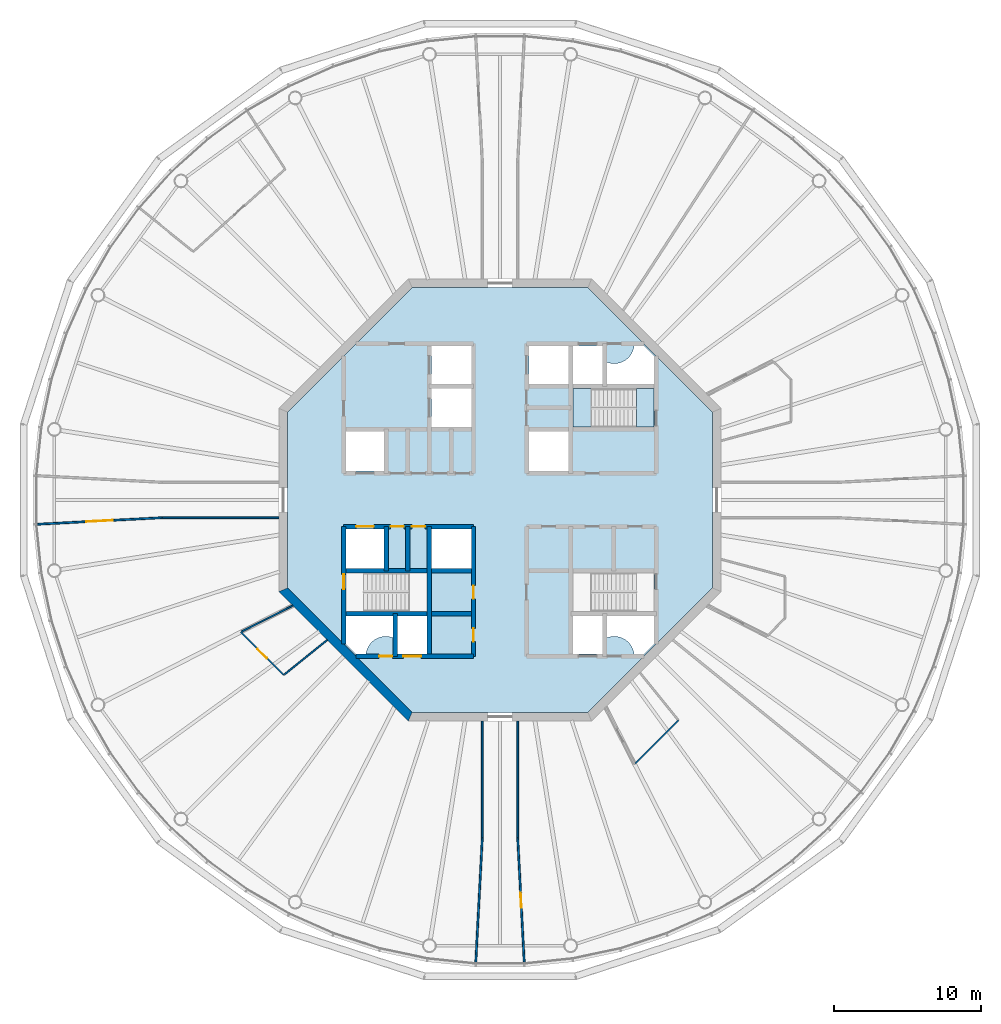
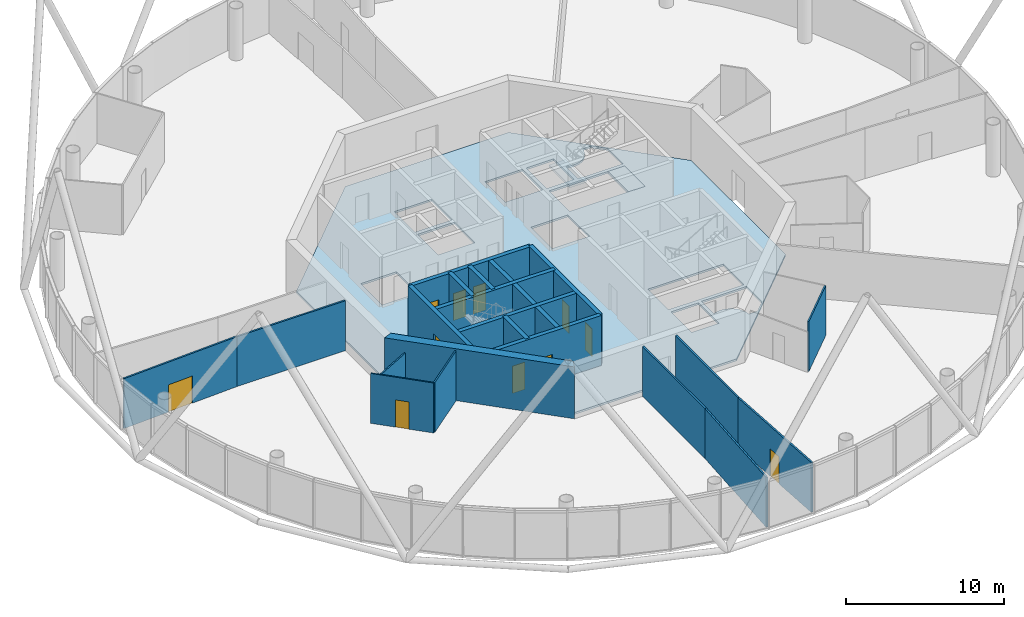
# One storey, part 3 of 13: 21 walls, 11 doors, 3 slabs, 11 openings, 1 element without a shape of its own.
"""IFC4 building model written with IfcOpenShell, lengths in metres."""

from ifc_helpers import new_model, si_unit, direction, frame, frame_2d, origin, place, context, subcontext, project, spatial, polyline, rectangle, outline, extrude, material, layer, layer_set, type_object, element, fill, aggregate, save


model = new_model("IFC4")

# Units and contexts
model_context = context("Model", 3, precision=1e-05, world=origin(), true_north=direction((0.0, 1.0)))
body_context = subcontext(model_context, "Body", "Model", "MODEL_VIEW")
ifc_project = project(units=[si_unit("LENGTHUNIT", "METRE"), si_unit("AREAUNIT", "SQUARE_METRE"), si_unit("VOLUMEUNIT", "CUBIC_METRE"), si_unit("PLANEANGLEUNIT", "RADIAN"), si_unit("MASSUNIT", "GRAM", prefix="KILO")], contexts=[model_context])

# Site, building, storey
site_placement = place(None, origin())
site = spatial("IfcSite", under=ifc_project, at=site_placement, CompositionType="ELEMENT")
building_placement = place(site_placement, origin())
building = spatial("IfcBuilding", under=site, at=building_placement, Name="Entoto Ring Tower", CompositionType="ELEMENT")
storey_placement = place(building_placement, frame((0.0, 0.0, 356.0)))
storey = spatial("IfcBuildingStorey", under=building, at=storey_placement, Name="L82", CompositionType="ELEMENT", Elevation=356.0)

# Slab
ifc_material_1 = material(Name="Concrete C40/50", Category="concrete")
ifc_layer_1 = layer(ifc_material_1, 0.14990234375)
ifc_layer_set_1 = layer_set([ifc_layer_1], Name="Concrete C40/50")
slab_type_1 = type_object("IfcSlabType", Name="Core floor slab 150 mm reinforced concrete C40/50", PredefinedType="FLOOR", material=ifc_layer_set_1)
slab_1_placement = place(storey_placement, frame((0.0, 0.0, -0.14990234375)))
element("IfcSlab", 1, at=slab_1_placement, inside=storey, type_object=slab_type_1, Name="Core floor L82", PredefinedType="FLOOR", context=body_context, shape_type="SweptSolid", body=[
    extrude(outline(polyline([(104.39990234375, 74.035400390625), (104.39990234375, 85.964599609375), (95.964599609375, 94.39990234375), (84.035400390625, 94.39990234375), (75.60009765625, 85.964599609375), (75.60009765625, 74.035400390625), (84.035400390625, 65.60009765625), (95.964599609375, 65.60009765625), (104.39990234375, 74.035400390625)]), holes=[polyline([(100.449951171875, 84.949951171875), (100.449951171875, 87.550048828125), (94.949951171875, 87.550048828125), (94.949951171875, 84.949951171875), (100.449951171875, 84.949951171875)]), polyline([(85.050048828125, 72.449951171875), (85.050048828125, 75.050048828125), (79.550048828125, 75.050048828125), (79.550048828125, 72.449951171875), (85.050048828125, 72.449951171875)]), polyline([(100.449951171875, 72.449951171875), (100.449951171875, 75.050048828125), (94.949951171875, 75.050048828125), (94.949951171875, 72.449951171875), (100.449951171875, 72.449951171875)]), polyline([(94.949951171875, 90.449951171875), (94.949951171875, 87.85009765625), (96.949951171875, 87.85009765625), (96.949951171875, 90.449951171875), (94.949951171875, 90.449951171875)]), polyline([(94.949951171875, 72.14990234375), (94.949951171875, 69.550048828125), (96.949951171875, 69.550048828125), (96.949951171875, 72.14990234375), (94.949951171875, 72.14990234375)]), polyline([(83.050048828125, 72.14990234375), (83.050048828125, 69.550048828125), (85.050048828125, 69.550048828125), (85.050048828125, 72.14990234375), (83.050048828125, 72.14990234375)]), polyline([(79.550048828125, 81.949951171875), (82.14990234375, 81.949951171875), (82.14990234375, 84.64990234375), (79.550048828125, 84.64990234375), (79.550048828125, 81.949951171875)]), polyline([(79.550048828125, 75.35009765625), (82.14990234375, 75.35009765625), (82.14990234375, 78.050048828125), (79.550048828125, 78.050048828125), (79.550048828125, 75.35009765625)]), polyline([(91.949951171875, 87.85009765625), (94.64990234375, 87.85009765625), (94.64990234375, 90.449951171875), (91.949951171875, 90.449951171875), (91.949951171875, 87.85009765625)]), polyline([(91.949951171875, 81.949951171875), (94.64990234375, 81.949951171875), (94.64990234375, 84.64990234375), (91.949951171875, 84.64990234375), (91.949951171875, 81.949951171875)]), polyline([(85.35009765625, 75.35009765625), (88.050048828125, 75.35009765625), (88.050048828125, 78.050048828125), (85.35009765625, 78.050048828125), (85.35009765625, 75.35009765625)]), polyline([(85.35009765625, 84.949951171875), (88.050048828125, 84.949951171875), (88.050048828125, 87.550048828125), (85.35009765625, 87.550048828125), (85.35009765625, 84.949951171875)]), polyline([(85.35009765625, 87.85009765625), (88.050048828125, 87.85009765625), (88.050048828125, 90.449951171875), (85.35009765625, 90.449951171875), (85.35009765625, 87.85009765625)]), polyline([(97.199951171875, 89.368408203125), (97.199951171875, 87.800048828125), (100.5, 87.800048828125), (100.5, 89.723388671875), (99.723388671875, 90.5), (99.09521484375, 90.5), (99.093505859375, 90.4677734375), (99.07421875, 90.336669921875), (99.0419921875, 90.2080078125), (98.997314453125, 90.08349609375), (98.940673828125, 89.963623046875), (98.87255859375, 89.85009765625), (98.793701171875, 89.74365234375), (98.70458984375, 89.6455078125), (98.6064453125, 89.556396484375), (98.5, 89.4775390625), (98.386474609375, 89.409423828125), (98.2666015625, 89.352783203125), (98.141845703125, 89.30810546875), (98.013427734375, 89.27587890625), (97.88232421875, 89.256591796875), (97.75, 89.25), (97.61767578125, 89.256591796875), (97.486572265625, 89.27587890625), (97.358154296875, 89.30810546875), (97.2333984375, 89.352783203125), (97.199951171875, 89.368408203125)]), polyline([(80.276611328125, 69.5), (80.90478515625, 69.5), (80.906494140625, 69.5322265625), (80.92578125, 69.663330078125), (80.9580078125, 69.7919921875), (81.002685546875, 69.91650390625), (81.059326171875, 70.036376953125), (81.12744140625, 70.14990234375), (81.206298828125, 70.25634765625), (81.29541015625, 70.3544921875), (81.3935546875, 70.443603515625), (81.5, 70.5224609375), (81.613525390625, 70.590576171875), (81.7333984375, 70.647216796875), (81.858154296875, 70.69189453125), (81.986572265625, 70.72412109375), (82.11767578125, 70.743408203125), (82.25, 70.75), (82.38232421875, 70.743408203125), (82.513427734375, 70.72412109375), (82.641845703125, 70.69189453125), (82.7666015625, 70.647216796875), (82.800048828125, 70.631591796875), (82.800048828125, 72.199951171875), (79.5, 72.199951171875), (79.5, 70.276611328125), (80.276611328125, 69.5)]), polyline([(99.09521484375, 69.5), (99.723388671875, 69.5), (100.5, 70.276611328125), (100.5, 72.199951171875), (97.199951171875, 72.199951171875), (97.199951171875, 70.631591796875), (97.2333984375, 70.647216796875), (97.358154296875, 70.69189453125), (97.486572265625, 70.72412109375), (97.61767578125, 70.743408203125), (97.75, 70.75), (97.88232421875, 70.743408203125), (98.013427734375, 70.72412109375), (98.141845703125, 70.69189453125), (98.2666015625, 70.647216796875), (98.386474609375, 70.590576171875), (98.5, 70.5224609375), (98.6064453125, 70.443603515625), (98.70458984375, 70.3544921875), (98.793701171875, 70.25634765625), (98.87255859375, 70.14990234375), (98.940673828125, 70.036376953125), (98.997314453125, 69.91650390625), (99.0419921875, 69.7919921875), (99.07421875, 69.663330078125), (99.093505859375, 69.5322265625), (99.09521484375, 69.5)])]), origin(), (0.0, 0.0, 1.0), 0.14990234375),
])

# Stair, slabs
ifc_material_2 = material(Name="Concrete C40/50", Category="concrete")
stair_type = type_object("IfcStairType", Name="Exit stair 1200 mm dog-leg reinforced concrete", PredefinedType="HALF_TURN_STAIR", material=ifc_material_2)
stair_placement = place(storey_placement, origin())
stair = element("IfcStair", 2, at=stair_placement, inside=storey, type_object=stair_type, Name="Exit stair 1", PredefinedType="HALF_TURN_STAIR")
ifc_material_3 = material(Name="Concrete C40/50", Category="concrete")
ifc_layer_2 = layer(ifc_material_3, 0.199951171875)
ifc_layer_set_2 = layer_set([ifc_layer_2], Name="Concrete C40/50")
slab_type_2 = type_object("IfcSlabType", Name="Stair landing 200 mm reinforced concrete", PredefinedType="LANDING", material=ifc_layer_set_2)
slab_2_placement = place(storey_placement, frame((0.0, 0.0, -0.199951171875)))
slab_2 = element("IfcSlab", 3, at=slab_2_placement, type_object=slab_type_2, Name="ST1 landing 1", PredefinedType="LANDING", context=body_context, shape_type="SweptSolid", body=[
    extrude(outline(polyline([(100.449951171875, 84.949951171875), (100.449951171875, 87.550048828125), (99.25, 87.550048828125), (99.25, 84.949951171875), (100.449951171875, 84.949951171875)])), origin(), (0.0, 0.0, 1.0), 0.199951171875),
])
slab_3_placement = place(storey_placement, frame((0.0, 0.0, 1.800048828125)))
slab_3 = element("IfcSlab", 4, at=slab_3_placement, type_object=slab_type_2, Name="ST1 landing 2", PredefinedType="LANDING", context=body_context, shape_type="SweptSolid", body=[
    extrude(outline(polyline([(94.949951171875, 84.949951171875), (96.169921875, 84.949951171875), (96.169921875, 87.550048828125), (94.949951171875, 87.550048828125), (94.949951171875, 84.949951171875)])), origin(), (0.0, 0.0, 1.0), 0.199951171875),
])
aggregate(stair, [slab_2, slab_3])

# Wall, openings, doors
ifc_material_4 = material(Name="Concrete C40/50", Category="concrete")
ifc_layer_3 = layer(ifc_material_4, 0.300048828125)
ifc_layer_set_3 = layer_set([ifc_layer_3], Name="Concrete C40/50")
wall_type_1 = type_object("IfcWallType", Name="Core enclosure wall 300 mm reinforced concrete", PredefinedType="SOLIDWALL", material=ifc_layer_set_3)
wall_1_placement = place(storey_placement, frame((88.199951171875, 69.39990234375, 0.0), z_axis=(0.0, 0.0, 1.0), x_axis=(0.0, 1.0, 0.0)))
wall_1 = element("IfcWall", 5, at=wall_1_placement, inside=storey, type_object=wall_type_1, Name="wall-L82-010", PredefinedType="SOLIDWALL", context=body_context, shape_type="SweptSolid", body=[
    extrude(rectangle(XDim=8.800048828125, YDim=0.300048828125, at=frame_2d((4.39990234375, 0.0))), origin(), (0.0, 0.0, 1.0), 3.85009765625),
])
opening_1_placement = place(wall_1_placement, frame((3.89990234375, 0.0, 0.0)))
opening_1 = element("IfcOpeningElement", 6, at=opening_1_placement, cuts=wall_1, Name="Opening K-21", PredefinedType="OPENING", context=body_context, shape_type="SweptSolid", body=[
    extrude(rectangle(XDim=0.89990234375, YDim=2.10009765625, at=frame_2d((0.449951171875, 1.050048828125))), frame((0.0, 0.16015625, 0.0), z_axis=(0.0, -1.0, 0.0), x_axis=(1.0, 0.0, 0.0)), (0.0, 0.0, 1.0), 0.320068359375),
])
opening_2_placement = place(wall_1_placement, frame((1.0, 0.0, 0.0)))
opening_2 = element("IfcOpeningElement", 7, at=opening_2_placement, cuts=wall_1, Name="Opening K-69", PredefinedType="OPENING", context=body_context, shape_type="SweptSolid", body=[
    extrude(rectangle(XDim=0.89990234375, YDim=2.10009765625, at=frame_2d((0.449951171875, 1.050048828125))), frame((0.0, 0.16015625, 0.0), z_axis=(0.0, -1.0, 0.0), x_axis=(1.0, 0.0, 0.0)), (0.0, 0.0, 1.0), 0.320068359375),
])
ifc_material_5 = material(Name="Steel door leaf, fire rated", Category="steel")
ifc_layer_4 = layer(ifc_material_5, 0.050048828125)
ifc_layer_set_4 = layer_set([ifc_layer_4], Name="Steel door leaf, fire rated")
door_type_1 = type_object("IfcDoorType", Name="Core door 900 x 2100 single leaf", OperationType="NOTDEFINED", PredefinedType="DOOR", material=ifc_layer_set_4)
door_1_placement = place(opening_1_placement, origin())
door_1 = element("IfcDoor", 8, at=door_1_placement, inside=storey, type_object=door_type_1, Name="Door K-21", OperationType="SINGLE_SWING_RIGHT", OverallHeight=2.10009765625, OverallWidth=0.89990234375, PredefinedType="DOOR", context=body_context, shape_type="SweptSolid", body=[
    extrude(rectangle(XDim=0.89990234375, YDim=2.10009765625, at=frame_2d((0.449951171875, 1.050048828125))), frame((0.0, 0.02490234375, 0.0), z_axis=(0.0, -1.0, 0.0), x_axis=(1.0, 0.0, 0.0)), (0.0, 0.0, 1.0), 0.050048828125),
])
fill(opening_1, door_1)
door_2_placement = place(opening_2_placement, origin())
door_2 = element("IfcDoor", 9, at=door_2_placement, inside=storey, type_object=door_type_1, Name="Door K-69", OperationType="SINGLE_SWING_RIGHT", OverallHeight=2.10009765625, OverallWidth=0.89990234375, PredefinedType="DOOR", context=body_context, shape_type="SweptSolid", body=[
    extrude(rectangle(XDim=0.89990234375, YDim=2.10009765625, at=frame_2d((0.449951171875, 1.050048828125))), frame((0.0, 0.02490234375, 0.0), z_axis=(0.0, -1.0, 0.0), x_axis=(1.0, 0.0, 0.0)), (0.0, 0.0, 1.0), 0.050048828125),
])
fill(opening_2, door_2)

# Walls
wall_2_placement = place(storey_placement, frame((85.199951171875, 69.39990234375, 0.0), z_axis=(0.0, 0.0, 1.0), x_axis=(0.0, 1.0, 0.0)))
element("IfcWall", 10, at=wall_2_placement, inside=storey, type_object=wall_type_1, Name="wall-L82-013", PredefinedType="SOLIDWALL", context=body_context, shape_type="SweptSolid", body=[
    extrude(rectangle(XDim=8.800048828125, YDim=0.300048828125, at=frame_2d((4.39990234375, 0.0))), origin(), (0.0, 0.0, 1.0), 3.85009765625),
])
wall_3_placement = place(storey_placement, frame((83.75, 75.199951171875, 0.0), z_axis=(0.0, 0.0, 1.0), x_axis=(0.0, 1.0, 0.0)))
element("IfcWall", 11, at=wall_3_placement, inside=storey, type_object=wall_type_1, Name="wall-L82-015", PredefinedType="SOLIDWALL", context=body_context, shape_type="SweptSolid", body=[
    extrude(rectangle(XDim=3.0, YDim=0.300048828125, at=frame_2d((1.5, 0.0))), origin(), (0.0, 0.0, 1.0), 3.85009765625),
])
wall_4_placement = place(storey_placement, frame((82.89990234375, 69.39990234375, 0.0), z_axis=(0.0, 0.0, 1.0), x_axis=(0.0, 1.0, 0.0)))
element("IfcWall", 12, at=wall_4_placement, inside=storey, type_object=wall_type_1, Name="wall-L82-017", PredefinedType="SOLIDWALL", context=body_context, shape_type="SweptSolid", body=[
    extrude(rectangle(XDim=2.900146484375, YDim=0.300048828125, at=frame_2d((1.4501953125, 0.0))), origin(), (0.0, 0.0, 1.0), 3.85009765625),
])
wall_5_placement = place(storey_placement, frame((82.300048828125, 75.199951171875, 0.0), z_axis=(0.0, 0.0, 1.0), x_axis=(0.0, 1.0, 0.0)))
element("IfcWall", 13, at=wall_5_placement, inside=storey, type_object=wall_type_1, Name="wall-L82-018", PredefinedType="SOLIDWALL", context=body_context, shape_type="SweptSolid", body=[
    extrude(rectangle(XDim=3.0, YDim=0.300048828125, at=frame_2d((1.5, 0.0))), origin(), (0.0, 0.0, 1.0), 3.85009765625),
])

# Wall, opening, door
wall_6_placement = place(storey_placement, frame((79.39990234375, 70.2353515625, 0.0), z_axis=(0.0, 0.0, 1.0), x_axis=(0.0, 1.0, 0.0)))
wall_6 = element("IfcWall", 14, at=wall_6_placement, inside=storey, type_object=wall_type_1, Name="wall-L82-020", PredefinedType="SOLIDWALL", context=body_context, shape_type="SweptSolid", body=[
    extrude(rectangle(XDim=7.964599609375, YDim=0.300048828125, at=frame_2d((3.982421875, 0.0))), origin(), (0.0, 0.0, 1.0), 3.85009765625),
])
opening_3_placement = place(wall_6_placement, frame((3.714599609375, 0.0, 0.0)))
opening_3 = element("IfcOpeningElement", 15, at=opening_3_placement, cuts=wall_6, Name="Opening K-27", PredefinedType="OPENING", context=body_context, shape_type="SweptSolid", body=[
    extrude(rectangle(XDim=1.0, YDim=2.10009765625, at=frame_2d((0.5, 1.050048828125))), frame((0.0, 0.16015625, 0.0), z_axis=(0.0, -1.0, 0.0), x_axis=(1.0, 0.0, 0.0)), (0.0, 0.0, 1.0), 0.320068359375),
])
ifc_material_6 = material(Name="Steel door leaf, fire rated", Category="steel")
ifc_layer_5 = layer(ifc_material_6, 0.050048828125)
ifc_layer_set_5 = layer_set([ifc_layer_5], Name="Steel door leaf, fire rated")
door_type_2 = type_object("IfcDoorType", Name="Fire door FD60 1000 x 2100 single leaf", OperationType="NOTDEFINED", PredefinedType="DOOR", material=ifc_layer_set_5)
door_3_placement = place(opening_3_placement, frame((1.0, 0.0, 0.0), z_axis=(0.0, 0.0, 1.0), x_axis=(-1.0, 0.0, 0.0)))
door_3 = element("IfcDoor", 16, at=door_3_placement, inside=storey, type_object=door_type_2, Name="Door K-27", OperationType="SINGLE_SWING_LEFT", OverallHeight=2.10009765625, OverallWidth=1.0, PredefinedType="DOOR", context=body_context, shape_type="SweptSolid", body=[
    extrude(rectangle(XDim=1.0, YDim=2.10009765625, at=frame_2d((0.5, 1.050048828125))), frame((0.0, 0.02490234375, 0.0), z_axis=(0.0, -1.0, 0.0), x_axis=(1.0, 0.0, 0.0)), (0.0, 0.0, 1.0), 0.050048828125),
])
fill(opening_3, door_3)

# Wall, openings, doors
wall_7_placement = place(storey_placement, frame((80.2353515625, 69.39990234375, 0.0), z_axis=(0.0, 0.0, 1.0), x_axis=(1.0, 0.0, 0.0)))
wall_7 = element("IfcWall", 17, at=wall_7_placement, inside=storey, type_object=wall_type_1, Name="wall-L82-022", PredefinedType="SOLIDWALL", context=body_context, shape_type="SweptSolid", body=[
    extrude(rectangle(XDim=7.964599609375, YDim=0.300048828125, at=frame_2d((3.982421875, 0.0))), origin(), (0.0, 0.0, 1.0), 3.85009765625),
])
opening_4_placement = place(wall_7_placement, frame((3.214599609375, 0.0, 0.0)))
opening_4 = element("IfcOpeningElement", 18, at=opening_4_placement, cuts=wall_7, Name="Opening LD", PredefinedType="OPENING", context=body_context, shape_type="SweptSolid", body=[
    extrude(rectangle(XDim=1.199951171875, YDim=2.10009765625, at=frame_2d((0.60009765625, 1.050048828125))), frame((0.0, 0.16015625, 0.0), z_axis=(0.0, -1.0, 0.0), x_axis=(1.0, 0.0, 0.0)), (0.0, 0.0, 1.0), 0.320068359375),
])
opening_5_placement = place(wall_7_placement, frame((1.564697265625, 0.0, 0.0)))
opening_5 = element("IfcOpeningElement", 19, at=opening_5_placement, cuts=wall_7, Name="Opening K-84", PredefinedType="OPENING", context=body_context, shape_type="SweptSolid", body=[
    extrude(rectangle(XDim=0.89990234375, YDim=2.10009765625, at=frame_2d((0.449951171875, 1.050048828125))), frame((0.0, 0.16015625, 0.0), z_axis=(0.0, -1.0, 0.0), x_axis=(1.0, 0.0, 0.0)), (0.0, 0.0, 1.0), 0.320068359375),
])
ifc_material_7 = material(Name="Steel and glass door leaf", Category="steel")
ifc_layer_6 = layer(ifc_material_7, 0.050048828125)
ifc_layer_set_6 = layer_set([ifc_layer_6], Name="Steel and glass door leaf")
door_type_3 = type_object("IfcDoorType", Name="Landing door 1200 x 2100 sliding", OperationType="DOUBLE_DOOR_SLIDING", PredefinedType="DOOR", material=ifc_layer_set_6)
door_4_placement = place(opening_4_placement, origin())
door_4 = element("IfcDoor", 20, at=door_4_placement, inside=storey, type_object=door_type_3, Name="Landing door LB3-HR", OperationType="SLIDING_TO_RIGHT", OverallHeight=2.10009765625, OverallWidth=1.199951171875, PredefinedType="DOOR", context=body_context, shape_type="SweptSolid", body=[
    extrude(rectangle(XDim=1.199951171875, YDim=2.10009765625, at=frame_2d((0.60009765625, 1.050048828125))), frame((0.0, 0.02490234375, 0.0), z_axis=(0.0, -1.0, 0.0), x_axis=(1.0, 0.0, 0.0)), (0.0, 0.0, 1.0), 0.050048828125),
])
fill(opening_4, door_4)
ifc_material_8 = material(Name="Steel door leaf, fire rated", Category="steel")
ifc_layer_7 = layer(ifc_material_8, 0.050048828125)
ifc_layer_set_7 = layer_set([ifc_layer_7], Name="Steel door leaf, fire rated")
door_type_4 = type_object("IfcDoorType", Name="Riser door FD60 900 x 2100 single leaf", OperationType="NOTDEFINED", PredefinedType="DOOR", material=ifc_layer_set_7)
door_5_placement = place(opening_5_placement, origin())
door_5 = element("IfcDoor", 21, at=door_5_placement, inside=storey, type_object=door_type_4, Name="Door K-84", OperationType="SINGLE_SWING_RIGHT", OverallHeight=2.10009765625, OverallWidth=0.89990234375, PredefinedType="DOOR", context=body_context, shape_type="SweptSolid", body=[
    extrude(rectangle(XDim=0.89990234375, YDim=2.10009765625, at=frame_2d((0.449951171875, 1.050048828125))), frame((0.0, 0.02490234375, 0.0), z_axis=(0.0, -1.0, 0.0), x_axis=(1.0, 0.0, 0.0)), (0.0, 0.0, 1.0), 0.050048828125),
])
fill(opening_5, door_5)

# Walls
for number, where, z_axis, x_axis, name in (
    (22, (79.39990234375, 72.300048828125, 0.0), (0.0, 0.0, 1.0), (1.0, 0.0, 0.0), "wall-L82-024"),
    (23, (79.39990234375, 75.199951171875, 0.0), (0.0, 0.0, 1.0), (1.0, 0.0, 0.0), "wall-L82-026"),
):
    element("IfcWall", number, at=place(storey_placement, frame(where, z_axis=z_axis, x_axis=x_axis)), inside=storey, type_object=wall_type_1, Name=name, PredefinedType="SOLIDWALL", context=body_context, shape_type="SweptSolid", body=[
        extrude(rectangle(XDim=8.800048828125, YDim=0.300048828125, at=frame_2d((4.39990234375, 0.0))), origin(), (0.0, 0.0, 1.0), 3.85009765625),
    ])

# Wall, openings, doors
wall_8_placement = place(storey_placement, frame((79.39990234375, 78.199951171875, 0.0), z_axis=(0.0, 0.0, 1.0), x_axis=(1.0, 0.0, 0.0)))
wall_8 = element("IfcWall", 24, at=wall_8_placement, inside=storey, type_object=wall_type_1, Name="wall-L82-028", PredefinedType="SOLIDWALL", context=body_context, shape_type="SweptSolid", body=[
    extrude(rectangle(XDim=8.800048828125, YDim=0.300048828125, at=frame_2d((4.39990234375, 0.0))), origin(), (0.0, 0.0, 1.0), 3.85009765625),
])
opening_6_placement = place(wall_8_placement, frame((0.85009765625, 0.0, 0.0)))
opening_6 = element("IfcOpeningElement", 25, at=opening_6_placement, cuts=wall_8, Name="Opening LD", PredefinedType="OPENING", context=body_context, shape_type="SweptSolid", body=[
    extrude(rectangle(XDim=1.199951171875, YDim=2.10009765625, at=frame_2d((0.60009765625, 1.050048828125))), frame((0.0, 0.16015625, 0.0), z_axis=(0.0, -1.0, 0.0), x_axis=(1.0, 0.0, 0.0)), (0.0, 0.0, 1.0), 0.320068359375),
])
opening_7_placement = place(wall_8_placement, frame((3.175048828125, 0.0, 0.0)))
opening_7 = element("IfcOpeningElement", 26, at=opening_7_placement, cuts=wall_8, Name="Opening K-16", PredefinedType="OPENING", context=body_context, shape_type="SweptSolid", body=[
    extrude(rectangle(XDim=0.89990234375, YDim=2.10009765625, at=frame_2d((0.449951171875, 1.050048828125))), frame((0.0, 0.16015625, 0.0), z_axis=(0.0, -1.0, 0.0), x_axis=(1.0, 0.0, 0.0)), (0.0, 0.0, 1.0), 0.320068359375),
])
opening_8_placement = place(wall_8_placement, frame((4.625, 0.0, 0.0)))
opening_8 = element("IfcOpeningElement", 27, at=opening_8_placement, cuts=wall_8, Name="Opening K-57", PredefinedType="OPENING", context=body_context, shape_type="SweptSolid", body=[
    extrude(rectangle(XDim=0.89990234375, YDim=2.10009765625, at=frame_2d((0.449951171875, 1.050048828125))), frame((0.0, 0.16015625, 0.0), z_axis=(0.0, -1.0, 0.0), x_axis=(1.0, 0.0, 0.0)), (0.0, 0.0, 1.0), 0.320068359375),
])
door_6_placement = place(opening_7_placement, frame((0.89990234375, 0.0, 0.0), z_axis=(0.0, 0.0, 1.0), x_axis=(-1.0, 0.0, 0.0)))
door_6 = element("IfcDoor", 28, at=door_6_placement, inside=storey, type_object=door_type_1, Name="Door K-16", OperationType="SINGLE_SWING_LEFT", OverallHeight=2.10009765625, OverallWidth=0.89990234375, PredefinedType="DOOR", context=body_context, shape_type="SweptSolid", body=[
    extrude(rectangle(XDim=0.89990234375, YDim=2.10009765625, at=frame_2d((0.449951171875, 1.050048828125))), frame((0.0, 0.02490234375, 0.0), z_axis=(0.0, -1.0, 0.0), x_axis=(1.0, 0.0, 0.0)), (0.0, 0.0, 1.0), 0.050048828125),
])
fill(opening_7, door_6)
door_7_placement = place(opening_8_placement, frame((0.89990234375, 0.0, 0.0), z_axis=(0.0, 0.0, 1.0), x_axis=(-1.0, 0.0, 0.0)))
door_7 = element("IfcDoor", 29, at=door_7_placement, inside=storey, type_object=door_type_1, Name="Door K-57", OperationType="SINGLE_SWING_LEFT", OverallHeight=2.10009765625, OverallWidth=0.89990234375, PredefinedType="DOOR", context=body_context, shape_type="SweptSolid", body=[
    extrude(rectangle(XDim=0.89990234375, YDim=2.10009765625, at=frame_2d((0.449951171875, 1.050048828125))), frame((0.0, 0.02490234375, 0.0), z_axis=(0.0, -1.0, 0.0), x_axis=(1.0, 0.0, 0.0)), (0.0, 0.0, 1.0), 0.050048828125),
])
fill(opening_8, door_7)
door_8_placement = place(opening_6_placement, origin())
door_8 = element("IfcDoor", 30, at=door_8_placement, inside=storey, type_object=door_type_3, Name="Landing door SH2", OperationType="SLIDING_TO_RIGHT", OverallHeight=2.10009765625, OverallWidth=1.199951171875, PredefinedType="DOOR", context=body_context, shape_type="SweptSolid", body=[
    extrude(rectangle(XDim=1.199951171875, YDim=2.10009765625, at=frame_2d((0.60009765625, 1.050048828125))), frame((0.0, 0.02490234375, 0.0), z_axis=(0.0, -1.0, 0.0), x_axis=(1.0, 0.0, 0.0)), (0.0, 0.0, 1.0), 0.050048828125),
])
fill(opening_6, door_8)

# Wall
ifc_material_9 = material(Name="Concrete C40/50", Category="concrete")
ifc_layer_8 = layer(ifc_material_9, 0.60009765625)
ifc_layer_set_8 = layer_set([ifc_layer_8], Name="Concrete C40/50")
wall_type_2 = type_object("IfcWallType", Name="Core shear wall 600 mm reinforced concrete C40/50", PredefinedType="SHEAR", material=ifc_layer_set_8)
wall_9_placement = place(storey_placement, frame((75.300048828125, 73.9111328125, 0.0), z_axis=(0.0, 0.0, 1.0), x_axis=(0.707106781187, -0.707106781187, 0.0)))
element("IfcWall", 31, at=wall_9_placement, inside=storey, type_object=wall_type_2, Name="wall-L82-core-5", PredefinedType="SHEAR", context=body_context, shape_type="SweptSolid", body=[
    extrude(outline(polyline([(-0.124267578125, -0.300048828125), (12.30224609375, -0.300048828125), (12.0537109375, 0.300048828125), (0.124267578125, 0.300048828125), (-0.124267578125, -0.300048828125)])), origin(), (0.0, 0.0, 1.0), 4.0),
])

# Wall, opening, door
ifc_material_10 = material(Name="Fire-resisting plasterboard on steel studs", Category="steel")
ifc_layer_9 = layer(ifc_material_10, 0.125)
ifc_layer_set_9 = layer_set([ifc_layer_9], Name="Fire-resisting plasterboard on steel studs")
wall_type_3 = type_object("IfcWallType", Name="Corridor wall 125 mm one-hour plasterboard on steel studs", PredefinedType="PARTITIONING", material=ifc_layer_set_9)
wall_10_placement = place(storey_placement, frame((58.60302734375, 78.3544921875, 0.0), z_axis=(0.0, 0.0, 1.0), x_axis=(0.998628821692, 0.05234956051, 0.0)))
wall_10 = element("IfcWall", 32, at=wall_10_placement, inside=storey, type_object=wall_type_3, Name="partition-L82-001", PredefinedType="PARTITIONING", context=body_context, shape_type="SweptSolid", body=[
    extrude(rectangle(XDim=8.51123046875, YDim=0.125, at=frame_2d((4.255615234375, 0.0))), origin(), (0.0, 0.0, 1.0), 3.85009765625),
])
opening_9_placement = place(wall_10_placement, frame((3.355712890625, 0.0, 0.0)))
opening_9 = element("IfcOpeningElement", 33, at=opening_9_placement, cuts=wall_10, Name="Opening A35-D06", PredefinedType="OPENING", context=body_context, shape_type="SweptSolid", body=[
    extrude(rectangle(XDim=1.800048828125, YDim=2.10009765625, at=frame_2d((0.89990234375, 1.050048828125))), frame((0.0, 0.072509765625, 0.0), z_axis=(0.0, -1.0, 0.0), x_axis=(1.0, 0.0, 0.0)), (0.0, 0.0, 1.0), 0.14501953125),
])
ifc_material_11 = material(Name="Fire-resisting timber door set", Category="wood")
door_type_5 = type_object("IfcDoorType", Name="Door 1800 x 2100 double leaf FD30S fire door", OperationType="DOUBLE_DOOR_SINGLE_SWING", PredefinedType="DOOR", material=ifc_material_11)
door_9_placement = place(opening_9_placement, origin())
door_9 = element("IfcDoor", 34, at=door_9_placement, inside=storey, type_object=door_type_5, Name="Door A35-D06", OperationType="DOUBLE_DOOR_SINGLE_SWING", OverallHeight=2.10009765625, OverallWidth=1.800048828125, PredefinedType="DOOR", context=body_context, shape_type="SweptSolid", body=[
    extrude(rectangle(XDim=1.800048828125, YDim=2.10009765625, at=frame_2d((0.89990234375, 1.050048828125))), frame((0.0, 0.02490234375, 0.0), z_axis=(0.0, -1.0, 0.0), x_axis=(1.0, 0.0, 0.0)), (0.0, 0.0, 1.0), 0.050048828125),
])
fill(opening_9, door_9)

# Wall
wall_11_placement = place(storey_placement, frame((88.3544921875, 48.60302734375, 0.0), z_axis=(0.0, 0.0, 1.0), x_axis=(0.05234956051, 0.998628821692, 0.0)))
element("IfcWall", 35, at=wall_11_placement, inside=storey, type_object=wall_type_3, Name="partition-L82-003", PredefinedType="PARTITIONING", context=body_context, shape_type="SweptSolid", body=[
    extrude(rectangle(XDim=8.51123046875, YDim=0.125, at=frame_2d((4.255615234375, 0.0))), origin(), (0.0, 0.0, 1.0), 3.85009765625),
])

# Wall, opening, door
wall_12_placement = place(storey_placement, frame((91.6455078125, 48.60302734375, 0.0), z_axis=(0.0, 0.0, 1.0), x_axis=(-0.05234956051, 0.998628821692, 0.0)))
wall_12 = element("IfcWall", 36, at=wall_12_placement, inside=storey, type_object=wall_type_3, Name="partition-L82-006", PredefinedType="PARTITIONING", context=body_context, shape_type="SweptSolid", body=[
    extrude(rectangle(XDim=8.51123046875, YDim=0.125, at=frame_2d((4.255615234375, 0.0))), origin(), (0.0, 0.0, 1.0), 3.85009765625),
])
opening_10_placement = place(wall_12_placement, frame((3.755615234375, 0.0, 0.0)))
opening_10 = element("IfcOpeningElement", 37, at=opening_10_placement, cuts=wall_12, Name="Opening A35-D08", PredefinedType="OPENING", context=body_context, shape_type="SweptSolid", body=[
    extrude(rectangle(XDim=1.0, YDim=2.10009765625, at=frame_2d((0.5, 1.050048828125))), frame((0.0, 0.072509765625, 0.0), z_axis=(0.0, -1.0, 0.0), x_axis=(1.0, 0.0, 0.0)), (0.0, 0.0, 1.0), 0.14501953125),
])
ifc_material_12 = material(Name="Fire-resisting timber door set", Category="wood")
door_type_6 = type_object("IfcDoorType", Name="Door 1000 x 2100 single leaf FD30S fire door", OperationType="NOTDEFINED", PredefinedType="DOOR", material=ifc_material_12)
door_10_placement = place(opening_10_placement, frame((1.0, 0.0, 0.0), z_axis=(0.0, 0.0, 1.0), x_axis=(-1.0, 0.0, 0.0)))
door_10 = element("IfcDoor", 38, at=door_10_placement, inside=storey, type_object=door_type_6, Name="Door A35-D08", OperationType="SINGLE_SWING_RIGHT", OverallHeight=2.10009765625, OverallWidth=1.0, PredefinedType="DOOR", context=body_context, shape_type="SweptSolid", body=[
    extrude(rectangle(XDim=1.0, YDim=2.10009765625, at=frame_2d((0.5, 1.050048828125))), frame((0.0, 0.02490234375, 0.0), z_axis=(0.0, -1.0, 0.0), x_axis=(1.0, 0.0, 0.0)), (0.0, 0.0, 1.0), 0.050048828125),
])
fill(opening_10, door_10)

# Walls
for number, where, z_axis, x_axis, name in (
    (39, (67.10595703125, 78.800048828125, 0.0), (0.0, 0.0, 1.0), (1.0, 0.0, 0.0), "partition-L82-009"),
    (40, (88.800048828125, 57.10595703125, 0.0), (0.0, 0.0, 1.0), (0.0, 1.0, 0.0), "partition-L82-011"),
    (41, (91.199951171875, 57.10595703125, 0.0), (0.0, 0.0, 1.0), (0.0, 1.0, 0.0), "partition-L82-013"),
):
    element("IfcWall", number, at=place(storey_placement, frame(where, z_axis=z_axis, x_axis=x_axis)), inside=storey, type_object=wall_type_3, Name=name, PredefinedType="PARTITIONING", context=body_context, shape_type="SweptSolid", body=[
        extrude(rectangle(XDim=7.89404296875, YDim=0.125, at=frame_2d((3.947021484375, 0.0))), origin(), (0.0, 0.0, 1.0), 3.85009765625),
    ])
ifc_material_13 = material(Name="Plasterboard on steel studs", Category="steel")
ifc_layer_10 = layer(ifc_material_13, 0.10009765625)
ifc_layer_set_10 = layer_set([ifc_layer_10], Name="Plasterboard on steel studs")
wall_type_4 = type_object("IfcWallType", Name="Partition 100 mm plasterboard on steel studs", PredefinedType="PARTITIONING", material=ifc_layer_set_10)
wall_13_placement = place(storey_placement, frame((99.175537109375, 62.1357421875, 0.0), z_axis=(0.0, 0.0, 1.0), x_axis=(0.707106781187, 0.707106781187, 0.0)))
element("IfcWall", 42, at=wall_13_placement, inside=storey, type_object=wall_type_4, Name="partition-L82-027", PredefinedType="PARTITIONING", context=body_context, shape_type="SweptSolid", body=[
    extrude(rectangle(XDim=4.13427734375, YDim=0.10009765625, at=frame_2d((2.067138671875, 0.0))), origin(), (0.0, 0.0, 1.0), 3.85009765625),
])

# Wall, opening, door
wall_14_placement = place(storey_placement, frame((75.34033203125, 68.12890625, 0.0), z_axis=(0.0, 0.0, 1.0), x_axis=(-0.707077178408, 0.707136382726, 0.0)))
wall_14 = element("IfcWall", 43, at=wall_14_placement, inside=storey, type_object=wall_type_4, Name="partition-L82-029", PredefinedType="PARTITIONING", context=body_context, shape_type="SweptSolid", body=[
    extrude(rectangle(XDim=4.123779296875, YDim=0.10009765625, at=frame_2d((2.06201171875, 0.0))), origin(), (0.0, 0.0, 1.0), 3.85009765625),
])
opening_11_placement = place(wall_14_placement, frame((1.61181640625, 0.0, 0.0)))
opening_11 = element("IfcOpeningElement", 44, at=opening_11_placement, cuts=wall_14, Name="Opening A35-D07", PredefinedType="OPENING", context=body_context, shape_type="SweptSolid", body=[
    extrude(rectangle(XDim=0.89990234375, YDim=2.10009765625, at=frame_2d((0.449951171875, 1.050048828125))), frame((0.0, 0.06005859375, 0.0), z_axis=(0.0, -1.0, 0.0), x_axis=(1.0, 0.0, 0.0)), (0.0, 0.0, 1.0), 0.1201171875),
])
ifc_material_14 = material(Name="Veneered timber door leaf in timber frame", Category="wood")
door_type_7 = type_object("IfcDoorType", Name="Door 900 x 2100 single leaf timber veneer", OperationType="NOTDEFINED", PredefinedType="DOOR", material=ifc_material_14)
door_11_placement = place(opening_11_placement, frame((0.89990234375, 0.0, 0.0), z_axis=(0.0, 0.0, 1.0), x_axis=(-1.0, 0.0, 0.0)))
door_11 = element("IfcDoor", 45, at=door_11_placement, inside=storey, type_object=door_type_7, Name="Door A35-D07", OperationType="SINGLE_SWING_LEFT", OverallHeight=2.10009765625, OverallWidth=0.89990234375, PredefinedType="DOOR", context=body_context, shape_type="SweptSolid", body=[
    extrude(rectangle(XDim=0.89990234375, YDim=2.10009765625, at=frame_2d((0.449951171875, 1.050048828125))), frame((0.0, 0.02490234375, 0.0), z_axis=(0.0, -1.0, 0.0), x_axis=(1.0, 0.0, 0.0)), (0.0, 0.0, 1.0), 0.050048828125),
])
fill(opening_11, door_11)

# Walls
wall_15_placement = place(storey_placement, frame((75.37890625, 68.16015625, 0.0), z_axis=(0.0, 0.0, 1.0), x_axis=(0.77713971997, 0.629328098566, 0.0)))
element("IfcWall", 46, at=wall_15_placement, inside=storey, type_object=wall_type_4, Name="partition-L82-031", PredefinedType="PARTITIONING", context=body_context, shape_type="SweptSolid", body=[
    extrude(rectangle(XDim=3.731201171875, YDim=0.10009765625, at=frame_2d((1.86572265625, 0.0))), origin(), (0.0, 0.0, 1.0), 3.85009765625),
])
ifc_material_15 = material(Name="Plasterboard on steel studs", Category="steel")
ifc_layer_11 = layer(ifc_material_15, 0.10009765625)
ifc_layer_set_11 = layer_set([ifc_layer_11], Name="Plasterboard on steel studs")
wall_type_5 = type_object("IfcWallType", Name="Partition 100 mm plasterboard on steel studs, 3097 mm high", PredefinedType="PARTITIONING", material=ifc_layer_set_11)
wall_16_placement = place(storey_placement, frame((72.485595703125, 71.075927734375, 0.0), z_axis=(0.0, 0.0, 1.0), x_axis=(0.89100784158, 0.453987914203, 0.0)))
element("IfcWall", 47, at=wall_16_placement, inside=storey, type_object=wall_type_5, Name="partition-L82-030", PredefinedType="PARTITIONING", context=body_context, shape_type="SweptSolid", body=[
    extrude(rectangle(XDim=3.884765625, YDim=0.10009765625, at=frame_2d((1.9423828125, 0.0))), origin(), (0.0, 0.0, 1.0), 3.096923828125),
])

save(model, "model.ifc")
